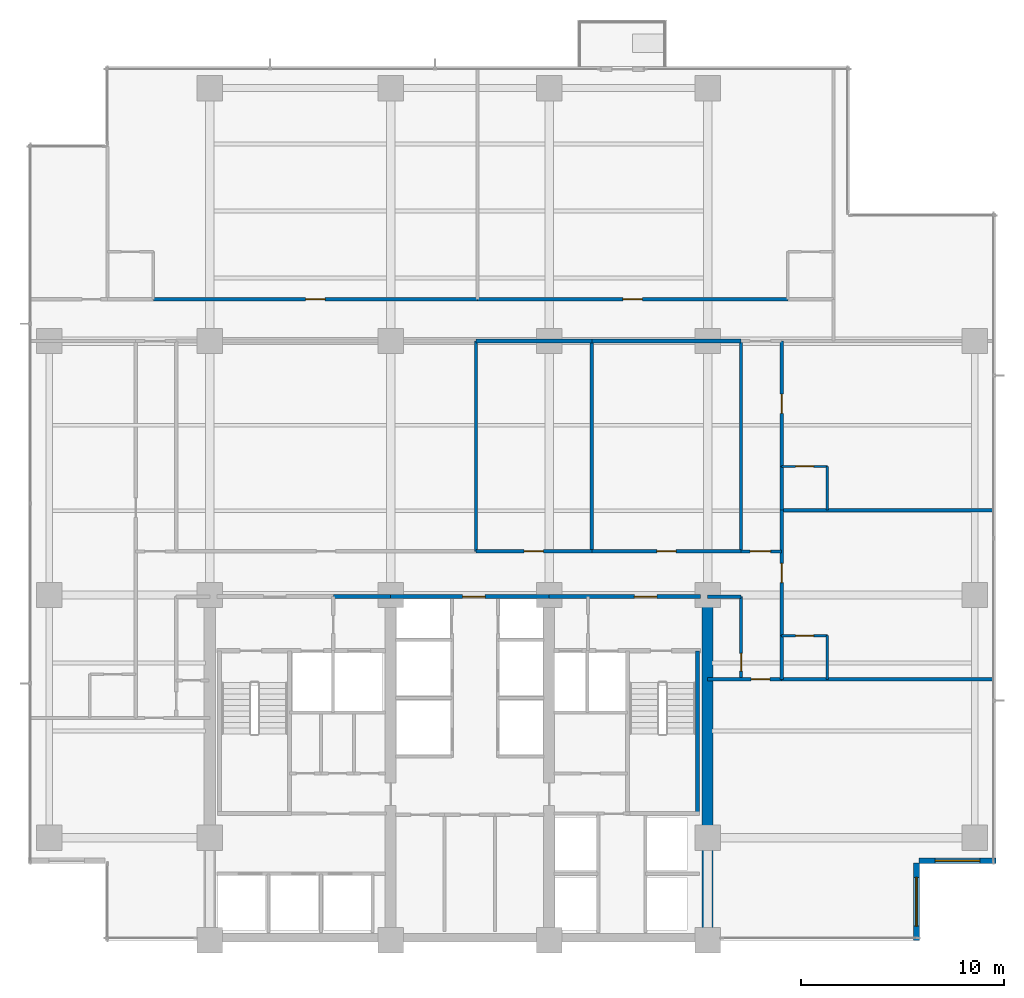
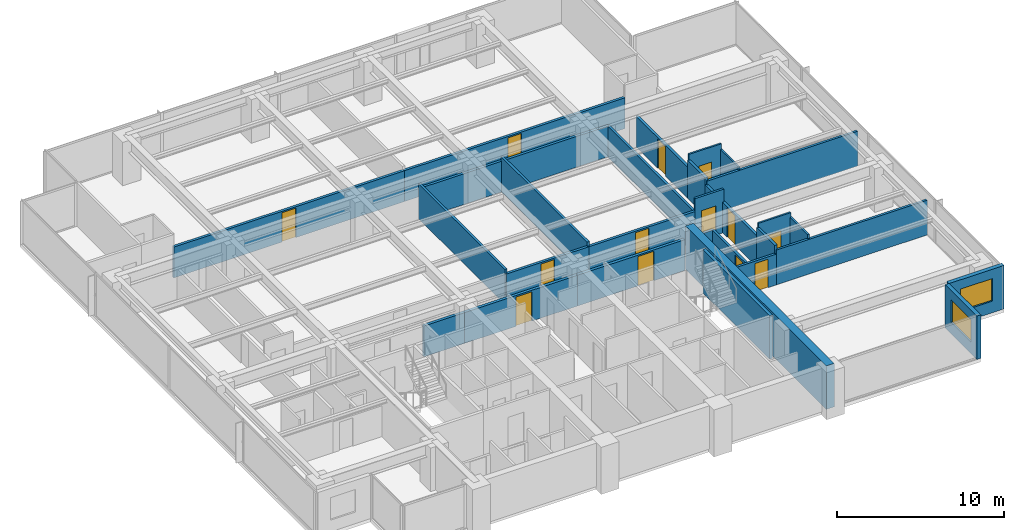
# One storey, part 10 of 16: 30 walls, 13 doors, 2 windows, 15 openings.
"""IFC4 building model written with IfcOpenShell, lengths in metres."""

from ifc_helpers import new_model, si_unit, direction, frame, frame_2d, origin, place, context, subcontext, project, spatial, rectangle, extrude, material, layer, layer_set, type_object, element, fill, save


model = new_model("IFC4")

# Units and contexts
model_context = context("Model", 3, precision=1e-05, world=origin(), true_north=direction((0.0, 1.0)))
body_context = subcontext(model_context, "Body", "Model", "MODEL_VIEW")
ifc_project = project(units=[si_unit("LENGTHUNIT", "METRE"), si_unit("AREAUNIT", "SQUARE_METRE"), si_unit("VOLUMEUNIT", "CUBIC_METRE"), si_unit("PLANEANGLEUNIT", "RADIAN"), si_unit("MASSUNIT", "GRAM", prefix="KILO")], contexts=[model_context])

# Site, building, storey
site_placement = place(None, origin())
site = spatial("IfcSite", under=ifc_project, at=site_placement, CompositionType="ELEMENT")
building_placement = place(site_placement, origin())
building = spatial("IfcBuilding", under=site, at=building_placement, Name="Qalmaran Belvedere Hotel", CompositionType="ELEMENT")
storey_placement = place(building_placement, frame((0.0, 0.0, 126.699951171875)))
storey = spatial("IfcBuildingStorey", under=building, at=storey_placement, Name="L32", CompositionType="ELEMENT", Elevation=126.699951171875)

# Wall
ifc_material_1 = material(Name="Concrete C60/75", Category="concrete")
ifc_layer_1 = layer(ifc_material_1, 0.550048828125, Name="Concrete C60/75")
ifc_layer_set_1 = layer_set([ifc_layer_1], Name="Concrete C60/75")
wall_type_1 = type_object("IfcWallType", Name="WL-CORE-550-C60", PredefinedType="SHEAR", material=ifc_layer_set_1)
wall_1_placement = place(storey_placement, frame((44.800048828125, 3.5, 0.0), z_axis=(0.0, 0.0, 1.0), x_axis=(0.0, 1.0, 0.0)))
element("IfcWall", 1, at=wall_1_placement, inside=storey, type_object=wall_type_1, Name="L32 East Core Shear Wall", PredefinedType="SHEAR", context=body_context, shape_type="SweptSolid", body=[
    extrude(rectangle(XDim=16.89990234375, YDim=0.550048828125, at=frame_2d((8.449951171875, 0.0))), origin(), (0.0, 0.0, 1.0), 3.179931640625),
])

# Wall, opening, window
ifc_material_2 = material(Name="Anodised Bronze Cladding")
ifc_layer_2 = layer(ifc_material_2, 0.280029296875, Name="Anodised Bronze Cladding")
ifc_layer_set_2 = layer_set([ifc_layer_2], Name="Anodised Bronze Cladding")
wall_type_2 = type_object("IfcWallType", Name="WL-EXT-BRNZ-280", PredefinedType="SOLIDWALL", material=ifc_layer_set_2)
wall_2_placement = place(storey_placement, frame((55.080078125, 3.5, 0.0), z_axis=(0.0, 0.0, 1.0), x_axis=(0.0, 1.0, 0.0)))
wall_2 = element("IfcWall", 2, at=wall_2_placement, inside=storey, type_object=wall_type_2, Name="L32 Corner Notch Wall 1", PredefinedType="SOLIDWALL", context=body_context, shape_type="SweptSolid", body=[
    extrude(rectangle(XDim=3.800048828125, YDim=0.280029296875, at=frame_2d((1.89990234375, 0.0))), origin(), (0.0, 0.0, 1.0), 3.179931640625),
])
opening_1_placement = place(wall_2_placement, frame((0.699951171875, 0.0, 0.85009765625)))
opening_1 = element("IfcOpeningElement", 3, at=opening_1_placement, cuts=wall_2, Name="Opening W-N24", PredefinedType="OPENING", context=body_context, shape_type="SweptSolid", body=[
    extrude(rectangle(XDim=2.39990234375, YDim=1.64990234375, at=frame_2d((1.199951171875, 0.824951171875))), frame((0.0, 0.14990234375, 0.0), z_axis=(0.0, -1.0, 0.0), x_axis=(1.0, 0.0, 0.0)), (0.0, 0.0, 1.0), 0.300048828125),
])
ifc_material_3 = material(Name="Solar-Control Double Glazing", Category="glass")
window_type_1 = type_object("IfcWindowType", Name="WN-NTC-2400X1650", PartitioningType="SINGLE_PANEL", PredefinedType="WINDOW", material=ifc_material_3)
window_1_placement = place(opening_1_placement, origin())
window_1 = element("IfcWindow", 4, at=window_1_placement, inside=storey, type_object=window_type_1, Name="L32 Corner Notch Window 1", OverallHeight=1.64990234375, OverallWidth=2.39990234375, PartitioningType="SINGLE_PANEL", PredefinedType="WINDOW", context=body_context, shape_type="SweptSolid", body=[
    extrude(rectangle(XDim=2.39990234375, YDim=1.64990234375, at=frame_2d((1.199951171875, 0.824951171875))), frame((0.0, 0.030029296875, 0.0), z_axis=(0.0, -1.0, 0.0), x_axis=(1.0, 0.0, 0.0)), (0.0, 0.0, 1.0), 0.06005859375),
])
fill(opening_1, window_1)

wall_3_placement = place(storey_placement, frame((55.199951171875, 7.419921875, 0.0), z_axis=(0.0, 0.0, 1.0), x_axis=(1.0, 0.0, 0.0)))
wall_3 = element("IfcWall", 5, at=wall_3_placement, inside=storey, type_object=wall_type_2, Name="L32 Corner Notch Wall 2", PredefinedType="SOLIDWALL", context=body_context, shape_type="SweptSolid", body=[
    extrude(rectangle(XDim=3.800048828125, YDim=0.280029296875, at=frame_2d((1.89990234375, 0.0))), origin(), (0.0, 0.0, 1.0), 3.179931640625),
])
opening_2_placement = place(wall_3_placement, frame((0.800048828125, 0.0, 0.85009765625)))
opening_2 = element("IfcOpeningElement", 6, at=opening_2_placement, cuts=wall_3, Name="Opening W-N22", PredefinedType="OPENING", context=body_context, shape_type="SweptSolid", body=[
    extrude(rectangle(XDim=2.199951171875, YDim=1.64990234375, at=frame_2d((1.10009765625, 0.824951171875))), frame((0.0, 0.14990234375, 0.0), z_axis=(0.0, -1.0, 0.0), x_axis=(1.0, 0.0, 0.0)), (0.0, 0.0, 1.0), 0.300048828125),
])
window_type_2 = type_object("IfcWindowType", Name="WN-NTC-2200X1650", PartitioningType="SINGLE_PANEL", PredefinedType="WINDOW", material=ifc_material_3)
window_2_placement = place(opening_2_placement, origin())
window_2 = element("IfcWindow", 7, at=window_2_placement, inside=storey, type_object=window_type_2, Name="L32 Corner Notch Window 2", OverallHeight=1.64990234375, OverallWidth=2.199951171875, PartitioningType="SINGLE_PANEL", PredefinedType="WINDOW", context=body_context, shape_type="SweptSolid", body=[
    extrude(rectangle(XDim=2.199951171875, YDim=1.64990234375, at=frame_2d((1.10009765625, 0.824951171875))), frame((0.0, 0.030029296875, 0.0), z_axis=(0.0, -1.0, 0.0), x_axis=(1.0, 0.0, 0.0)), (0.0, 0.0, 1.0), 0.06005859375),
])
fill(opening_2, window_2)

# Wall, opening, door
ifc_material_4 = material(Name="Moisture-Resistant Gypsum")
ifc_layer_3 = layer(ifc_material_4, 0.1201171875, Name="Moisture-Resistant Gypsum")
ifc_layer_set_3 = layer_set([ifc_layer_3], Name="Moisture-Resistant Gypsum")
wall_type_3 = type_object("IfcWallType", Name="WL-INT-120-BATH", PredefinedType="PARTITIONING", material=ifc_layer_set_3)
wall_4_placement = place(storey_placement, frame((48.449951171875, 18.5, 0.0), z_axis=(0.0, 0.0, 1.0), x_axis=(1.0, 0.0, 0.0)))
wall_4 = element("IfcWall", 8, at=wall_4_placement, inside=storey, type_object=wall_type_3, Name="L32 Partition WL-L32-EBN00", PredefinedType="PARTITIONING", context=body_context, shape_type="SweptSolid", body=[
    extrude(rectangle(XDim=2.25, YDim=0.1201171875, at=frame_2d((1.125, 0.0))), origin(), (0.0, 0.0, 1.0), 3.179931640625),
])
opening_3_placement = place(wall_4_placement, frame((1.56494140625, 0.0, 0.0), z_axis=(0.0, 0.0, 1.0), x_axis=(-1.0, 0.0, 0.0)))
opening_3 = element("IfcOpeningElement", 9, at=opening_3_placement, cuts=wall_4, Name="Opening D-BATH", PredefinedType="OPENING", context=body_context, shape_type="SweptSolid", body=[
    extrude(rectangle(XDim=0.8798828125, YDim=2.080078125, at=frame_2d((0.43994140625, 1.0400390625))), frame((0.0, 0.070068359375, 0.0), z_axis=(0.0, -1.0, 0.0), x_axis=(1.0, 0.0, 0.0)), (0.0, 0.0, 1.0), 0.14013671875),
])
ifc_material_5 = material(Name="Engineered Oak Veneer")
door_type_1 = type_object("IfcDoorType", Name="DR-INT-BATH-880X2080", OperationType="NOTDEFINED", PredefinedType="DOOR", material=ifc_material_5)
door_1_placement = place(opening_3_placement, origin())
door_1 = element("IfcDoor", 10, at=door_1_placement, inside=storey, type_object=door_type_1, Name="L32 E Ensuite Door 01", OperationType="SINGLE_SWING_RIGHT", OverallHeight=2.080078125, OverallWidth=0.8798828125, PredefinedType="DOOR", context=body_context, shape_type="SweptSolid", body=[
    extrude(rectangle(XDim=0.8798828125, YDim=2.080078125, at=frame_2d((0.43994140625, 1.0400390625))), frame((0.0, 0.02490234375, 0.0), z_axis=(0.0, -1.0, 0.0), x_axis=(1.0, 0.0, 0.0)), (0.0, 0.0, 1.0), 0.050048828125),
])
fill(opening_3, door_1)

# Wall
wall_5_placement = place(storey_placement, frame((50.699951171875, 16.35009765625, 0.0), z_axis=(0.0, 0.0, 1.0), x_axis=(0.0, 1.0, 0.0)))
element("IfcWall", 11, at=wall_5_placement, inside=storey, type_object=wall_type_3, Name="L32 Partition WL-L32-EBS00", PredefinedType="PARTITIONING", context=body_context, shape_type="SweptSolid", body=[
    extrude(rectangle(XDim=2.14990234375, YDim=0.1201171875, at=frame_2d((1.074951171875, 0.0))), origin(), (0.0, 0.0, 1.0), 2.862060546875),
])

# Wall, opening, door
wall_6_placement = place(storey_placement, frame((48.449951171875, 26.824951171875, 0.0), z_axis=(0.0, 0.0, 1.0), x_axis=(1.0, 0.0, 0.0)))
wall_6 = element("IfcWall", 12, at=wall_6_placement, inside=storey, type_object=wall_type_3, Name="L32 Partition WL-L32-EBN01", PredefinedType="PARTITIONING", context=body_context, shape_type="SweptSolid", body=[
    extrude(rectangle(XDim=2.25, YDim=0.1201171875, at=frame_2d((1.125, 0.0))), origin(), (0.0, 0.0, 1.0), 3.179931640625),
])
opening_4_placement = place(wall_6_placement, frame((1.56494140625, 0.0, 0.0), z_axis=(0.0, 0.0, 1.0), x_axis=(-1.0, 0.0, 0.0)))
opening_4 = element("IfcOpeningElement", 13, at=opening_4_placement, cuts=wall_6, Name="Opening D-BATH", PredefinedType="OPENING", context=body_context, shape_type="SweptSolid", body=[
    extrude(rectangle(XDim=0.8798828125, YDim=2.080078125, at=frame_2d((0.43994140625, 1.0400390625))), frame((0.0, 0.070068359375, 0.0), z_axis=(0.0, -1.0, 0.0), x_axis=(1.0, 0.0, 0.0)), (0.0, 0.0, 1.0), 0.14013671875),
])
door_2_placement = place(opening_4_placement, origin())
door_2 = element("IfcDoor", 14, at=door_2_placement, inside=storey, type_object=door_type_1, Name="L32 E Ensuite Door 02", OperationType="SINGLE_SWING_RIGHT", OverallHeight=2.080078125, OverallWidth=0.8798828125, PredefinedType="DOOR", context=body_context, shape_type="SweptSolid", body=[
    extrude(rectangle(XDim=0.8798828125, YDim=2.080078125, at=frame_2d((0.43994140625, 1.0400390625))), frame((0.0, 0.02490234375, 0.0), z_axis=(0.0, -1.0, 0.0), x_axis=(1.0, 0.0, 0.0)), (0.0, 0.0, 1.0), 0.050048828125),
])
fill(opening_4, door_2)

# Wall
wall_7_placement = place(storey_placement, frame((50.699951171875, 24.675048828125, 0.0), z_axis=(0.0, 0.0, 1.0), x_axis=(0.0, 1.0, 0.0)))
element("IfcWall", 15, at=wall_7_placement, inside=storey, type_object=wall_type_3, Name="L32 Partition WL-L32-EBS01", PredefinedType="PARTITIONING", context=body_context, shape_type="SweptSolid", body=[
    extrude(rectangle(XDim=2.14990234375, YDim=0.1201171875, at=frame_2d((1.074951171875, 0.0))), origin(), (0.0, 0.0, 1.0), 2.758056640625),
])

# Wall, opening, door
ifc_material_6 = material(Name="Gypsum Stud Partition")
ifc_layer_4 = layer(ifc_material_6, 0.14990234375, Name="Gypsum Stud Partition")
ifc_layer_set_4 = layer_set([ifc_layer_4], Name="Gypsum Stud Partition")
wall_type_4 = type_object("IfcWallType", Name="WL-INT-150-EI60", PredefinedType="PARTITIONING", material=ifc_layer_set_4)
wall_8_placement = place(storey_placement, frame((46.449951171875, 22.64990234375, 0.0), z_axis=(0.0, 0.0, 1.0), x_axis=(1.0, 0.0, 0.0)))
wall_8 = element("IfcWall", 16, at=wall_8_placement, inside=storey, type_object=wall_type_4, Name="L32 Partition WL-L32-XCE1", PredefinedType="PARTITIONING", context=body_context, shape_type="SweptSolid", body=[
    extrude(rectangle(XDim=2.0, YDim=0.14990234375, at=frame_2d((1.0, 0.0))), origin(), (0.0, 0.0, 1.0), 3.179931640625),
])
opening_5_placement = place(wall_8_placement, frame((0.449951171875, 0.0, 0.0)))
opening_5 = element("IfcOpeningElement", 17, at=opening_5_placement, cuts=wall_8, Name="Opening FD90B", PredefinedType="OPENING", context=body_context, shape_type="SweptSolid", body=[
    extrude(rectangle(XDim=1.0, YDim=2.14990234375, at=frame_2d((0.5, 1.074951171875))), frame((0.0, 0.0849609375, 0.0), z_axis=(0.0, -1.0, 0.0), x_axis=(1.0, 0.0, 0.0)), (0.0, 0.0, 1.0), 0.169921875),
])
ifc_material_7 = material(Name="Steel S355JR", Category="steel")
door_type_2 = type_object("IfcDoorType", Name="DR-FD90B-1000X2150", OperationType="NOTDEFINED", PredefinedType="DOOR", material=ifc_material_7)
door_3_placement = place(opening_5_placement, origin())
door_3 = element("IfcDoor", 18, at=door_3_placement, inside=storey, type_object=door_type_2, Name="L32 East Corridor Smoke Door S", OperationType="SINGLE_SWING_LEFT", OverallHeight=2.14990234375, OverallWidth=1.0, PredefinedType="DOOR", context=body_context, shape_type="SweptSolid", body=[
    extrude(rectangle(XDim=1.0, YDim=2.14990234375, at=frame_2d((0.5, 1.074951171875))), frame((0.0, 0.02490234375, 0.0), z_axis=(0.0, -1.0, 0.0), x_axis=(1.0, 0.0, 0.0)), (0.0, 0.0, 1.0), 0.050048828125),
])
fill(opening_5, door_3)

ifc_layer_5 = layer(ifc_material_6, 0.159912109375, Name="Gypsum Stud Partition")
ifc_layer_set_5 = layer_set([ifc_layer_5], Name="Gypsum Stud Partition")
wall_type_5 = type_object("IfcWallType", Name="WL-INT-160-EI60", PredefinedType="PARTITIONING", material=ifc_layer_set_5)
wall_9_placement = place(storey_placement, frame((44.800048828125, 16.35009765625, 0.0), z_axis=(0.0, 0.0, 1.0), x_axis=(1.0, 0.0, 0.0)))
wall_9 = element("IfcWall", 19, at=wall_9_placement, inside=storey, type_object=wall_type_5, Name="L32 Partition WL-L32-SERL", PredefinedType="PARTITIONING", context=body_context, shape_type="SweptSolid", body=[
    extrude(rectangle(XDim=3.64990234375, YDim=0.159912109375, at=frame_2d((1.824951171875, 0.0))), origin(), (0.0, 0.0, 1.0), 2.2529296875),
])
opening_6_placement = place(wall_9_placement, frame((3.06982421875, 0.0, 0.0), z_axis=(0.0, 0.0, 1.0), x_axis=(-1.0, 0.0, 0.0)))
opening_6 = element("IfcOpeningElement", 20, at=opening_6_placement, cuts=wall_9, Name="Opening FD60S1", PredefinedType="OPENING", context=body_context, shape_type="SweptSolid", body=[
    extrude(rectangle(XDim=0.919921875, YDim=2.080078125, at=frame_2d((0.4599609375, 1.0400390625))), frame((0.0, 0.08984375, 0.0), z_axis=(0.0, -1.0, 0.0), x_axis=(1.0, 0.0, 0.0)), (0.0, 0.0, 1.0), 0.179931640625),
])
door_type_3 = type_object("IfcDoorType", Name="DR-FD60S-920X2080", OperationType="NOTDEFINED", PredefinedType="DOOR", material=ifc_material_5)
door_4_placement = place(opening_6_placement, origin())
door_4 = element("IfcDoor", 21, at=door_4_placement, inside=storey, type_object=door_type_3, Name="L32 SE Lounge Door", OperationType="SINGLE_SWING_RIGHT", OverallHeight=2.080078125, OverallWidth=0.919921875, PredefinedType="DOOR", context=body_context, shape_type="SweptSolid", body=[
    extrude(rectangle(XDim=0.919921875, YDim=2.080078125, at=frame_2d((0.4599609375, 1.0400390625))), frame((0.0, 0.02490234375, 0.0), z_axis=(0.0, -1.0, 0.0), x_axis=(1.0, 0.0, 0.0)), (0.0, 0.0, 1.0), 0.050048828125),
])
fill(opening_6, door_4)

wall_10_placement = place(storey_placement, frame((46.449951171875, 16.35009765625, 0.0), z_axis=(0.0, 0.0, 1.0), x_axis=(0.0, 1.0, 0.0)))
wall_10 = element("IfcWall", 22, at=wall_10_placement, inside=storey, type_object=wall_type_5, Name="L32 Partition WL-L32-ECL", PredefinedType="PARTITIONING", context=body_context, shape_type="SweptSolid", body=[
    extrude(rectangle(XDim=4.06982421875, YDim=0.159912109375, at=frame_2d((2.034912109375, 0.0))), origin(), (0.0, 0.0, 1.0), 2.2529296875),
])
opening_7_placement = place(wall_10_placement, frame((0.39990234375, 0.0, 0.0)))
opening_7 = element("IfcOpeningElement", 23, at=opening_7_placement, cuts=wall_10, Name="Opening FD60B", PredefinedType="OPENING", context=body_context, shape_type="SweptSolid", body=[
    extrude(rectangle(XDim=0.8798828125, YDim=2.080078125, at=frame_2d((0.43994140625, 1.0400390625))), frame((0.0, 0.08984375, 0.0), z_axis=(0.0, -1.0, 0.0), x_axis=(1.0, 0.0, 0.0)), (0.0, 0.0, 1.0), 0.179931640625),
])
door_type_4 = type_object("IfcDoorType", Name="DR-FD60B-880X2080", OperationType="NOTDEFINED", PredefinedType="DOOR", material=ifc_material_7)
door_5_placement = place(opening_7_placement, origin())
door_5 = element("IfcDoor", 24, at=door_5_placement, inside=storey, type_object=door_type_4, Name="L32 East Closet Door", OperationType="SINGLE_SWING_RIGHT", OverallHeight=2.080078125, OverallWidth=0.8798828125, PredefinedType="DOOR", context=body_context, shape_type="SweptSolid", body=[
    extrude(rectangle(XDim=0.8798828125, YDim=2.080078125, at=frame_2d((0.43994140625, 1.0400390625))), frame((0.0, 0.02490234375, 0.0), z_axis=(0.0, -1.0, 0.0), x_axis=(1.0, 0.0, 0.0)), (0.0, 0.0, 1.0), 0.050048828125),
])
fill(opening_7, door_5)

# Walls
wall_11_placement = place(storey_placement, frame((44.800048828125, 20.419921875, 0.0), z_axis=(0.0, 0.0, 1.0), x_axis=(1.0, 0.0, 0.0)))
element("IfcWall", 25, at=wall_11_placement, inside=storey, type_object=wall_type_5, Name="L32 Partition WL-L32-ECLN", PredefinedType="PARTITIONING", context=body_context, shape_type="SweptSolid", body=[
    extrude(rectangle(XDim=1.64990234375, YDim=0.159912109375, at=frame_2d((0.824951171875, 0.0))), origin(), (0.0, 0.0, 1.0), 2.2529296875),
])
for number, where, z_axis, x_axis, name in (
    (26, (33.39990234375, 22.64990234375, 0.0), (0.0, 0.0, 1.0), (0.0, 1.0, 0.0), "L32 Partition WL-L32-MIDVR1"),
    (27, (39.10009765625, 22.64990234375, 0.0), (0.0, 0.0, 1.0), (0.0, 1.0, 0.0), "L32 Partition WL-L32-MIDVR2"),
):
    element("IfcWall", number, at=place(storey_placement, frame(where, z_axis=z_axis, x_axis=x_axis)), inside=storey, type_object=wall_type_5, Name=name, PredefinedType="PARTITIONING", context=body_context, shape_type="SweptSolid", body=[
        extrude(rectangle(XDim=10.35009765625, YDim=0.159912109375, at=frame_2d((5.175048828125, 0.0))), origin(), (0.0, 0.0, 1.0), 2.553955078125),
    ])
wall_12_placement = place(storey_placement, frame((46.449951171875, 22.64990234375, 0.0), z_axis=(0.0, 0.0, 1.0), x_axis=(0.0, 1.0, 0.0)))
element("IfcWall", 28, at=wall_12_placement, inside=storey, type_object=wall_type_5, Name="L32 Partition WL-L32-MIDVR3", PredefinedType="PARTITIONING", context=body_context, shape_type="SweptSolid", body=[
    extrude(rectangle(XDim=10.35009765625, YDim=0.159912109375, at=frame_2d((5.175048828125, 0.0))), origin(), (0.0, 0.0, 1.0), 2.2529296875),
])
for number, where, z_axis, x_axis, name in (
    (29, (48.449951171875, 16.35009765625, 0.0), (0.0, 0.0, 1.0), (1.0, 0.0, 0.0), "L32 Partition WL-L32-EBOT"),
    (30, (48.449951171875, 24.675048828125, 0.0), (0.0, 0.0, 1.0), (1.0, 0.0, 0.0), "L32 Partition WL-L32-EU00"),
):
    element("IfcWall", number, at=place(storey_placement, frame(where, z_axis=z_axis, x_axis=x_axis)), inside=storey, type_object=wall_type_5, Name=name, PredefinedType="PARTITIONING", context=body_context, shape_type="SweptSolid", body=[
        extrude(rectangle(XDim=10.429931640625, YDim=0.159912109375, at=frame_2d((5.21484375, 0.0))), origin(), (0.0, 0.0, 1.0), 2.54296875),
    ])

# Wall, opening, door
ifc_layer_6 = layer(ifc_material_6, 0.179931640625, Name="Gypsum Stud Partition")
ifc_layer_set_6 = layer_set([ifc_layer_6], Name="Gypsum Stud Partition")
wall_type_6 = type_object("IfcWallType", Name="WL-INT-180-EI60", PredefinedType="PARTITIONING", material=ifc_layer_set_6)
wall_13_placement = place(storey_placement, frame((33.39990234375, 22.64990234375, 0.0), z_axis=(0.0, 0.0, 1.0), x_axis=(1.0, 0.0, 0.0)))
wall_13 = element("IfcWall", 31, at=wall_13_placement, inside=storey, type_object=wall_type_6, Name="L32 Partition WL-L32-MIDD2", PredefinedType="PARTITIONING", context=body_context, shape_type="SweptSolid", body=[
    extrude(rectangle(XDim=5.7001953125, YDim=0.179931640625, at=frame_2d((2.85009765625, 0.0))), origin(), (0.0, 0.0, 1.0), 2.2529296875),
])
opening_8_placement = place(wall_13_placement, frame((2.375, 0.0, 0.0)))
opening_8 = element("IfcOpeningElement", 32, at=opening_8_placement, cuts=wall_13, Name="Opening FD60", PredefinedType="OPENING", context=body_context, shape_type="SweptSolid", body=[
    extrude(rectangle(XDim=0.949951171875, YDim=2.14990234375, at=frame_2d((0.47509765625, 1.074951171875))), frame((0.0, 0.10009765625, 0.0), z_axis=(0.0, -1.0, 0.0), x_axis=(1.0, 0.0, 0.0)), (0.0, 0.0, 1.0), 0.199951171875),
])
door_type_5 = type_object("IfcDoorType", Name="DR-FD60-950X2150", OperationType="NOTDEFINED", PredefinedType="DOOR", material=ifc_material_5)
door_6_placement = place(opening_8_placement, origin())
door_6 = element("IfcDoor", 33, at=door_6_placement, inside=storey, type_object=door_type_5, Name="L32 Luggage Store Door", OperationType="SINGLE_SWING_RIGHT", OverallHeight=2.14990234375, OverallWidth=0.949951171875, PredefinedType="DOOR", context=body_context, shape_type="SweptSolid", body=[
    extrude(rectangle(XDim=0.949951171875, YDim=2.14990234375, at=frame_2d((0.47509765625, 1.074951171875))), frame((0.0, 0.02490234375, 0.0), z_axis=(0.0, -1.0, 0.0), x_axis=(1.0, 0.0, 0.0)), (0.0, 0.0, 1.0), 0.050048828125),
])
fill(opening_8, door_6)

# Wall
wall_14_placement = place(storey_placement, frame((33.39990234375, 33.0, 0.0), z_axis=(0.0, 0.0, 1.0), x_axis=(1.0, 0.0, 0.0)))
element("IfcWall", 34, at=wall_14_placement, inside=storey, type_object=wall_type_6, Name="L32 Partition WL-L32-MIDO2", PredefinedType="PARTITIONING", context=body_context, shape_type="SweptSolid", body=[
    extrude(rectangle(XDim=5.7001953125, YDim=0.179931640625, at=frame_2d((2.85009765625, 0.0))), origin(), (0.0, 0.0, 1.0), 2.2529296875),
])

# Wall, opening, door
wall_15_placement = place(storey_placement, frame((39.10009765625, 22.64990234375, 0.0), z_axis=(0.0, 0.0, 1.0), x_axis=(1.0, 0.0, 0.0)))
wall_15 = element("IfcWall", 35, at=wall_15_placement, inside=storey, type_object=wall_type_6, Name="L32 Partition WL-L32-MIDD3", PredefinedType="PARTITIONING", context=body_context, shape_type="SweptSolid", body=[
    extrude(rectangle(XDim=7.349853515625, YDim=0.179931640625, at=frame_2d((3.6748046875, 0.0))), origin(), (0.0, 0.0, 1.0), 2.2529296875),
])
opening_9_placement = place(wall_15_placement, frame((3.199951171875, 0.0, 0.0)))
opening_9 = element("IfcOpeningElement", 36, at=opening_9_placement, cuts=wall_15, Name="Opening FD60", PredefinedType="OPENING", context=body_context, shape_type="SweptSolid", body=[
    extrude(rectangle(XDim=0.949951171875, YDim=2.14990234375, at=frame_2d((0.47509765625, 1.074951171875))), frame((0.0, 0.10009765625, 0.0), z_axis=(0.0, -1.0, 0.0), x_axis=(1.0, 0.0, 0.0)), (0.0, 0.0, 1.0), 0.199951171875),
])
door_7_placement = place(opening_9_placement, origin())
door_7 = element("IfcDoor", 37, at=door_7_placement, inside=storey, type_object=door_type_5, Name="L32 Butler Pantry Door", OperationType="SINGLE_SWING_LEFT", OverallHeight=2.14990234375, OverallWidth=0.949951171875, PredefinedType="DOOR", context=body_context, shape_type="SweptSolid", body=[
    extrude(rectangle(XDim=0.949951171875, YDim=2.14990234375, at=frame_2d((0.47509765625, 1.074951171875))), frame((0.0, 0.02490234375, 0.0), z_axis=(0.0, -1.0, 0.0), x_axis=(1.0, 0.0, 0.0)), (0.0, 0.0, 1.0), 0.050048828125),
])
fill(opening_9, door_7)

# Wall
wall_16_placement = place(storey_placement, frame((39.10009765625, 33.0, 0.0), z_axis=(0.0, 0.0, 1.0), x_axis=(1.0, 0.0, 0.0)))
element("IfcWall", 38, at=wall_16_placement, inside=storey, type_object=wall_type_6, Name="L32 Partition WL-L32-MIDO3", PredefinedType="PARTITIONING", context=body_context, shape_type="SweptSolid", body=[
    extrude(rectangle(XDim=7.349853515625, YDim=0.179931640625, at=frame_2d((3.6748046875, 0.0))), origin(), (0.0, 0.0, 1.0), 2.2529296875),
])

# Wall, opening, door
wall_17_placement = place(storey_placement, frame((17.52001953125, 35.050048828125, 0.0), z_axis=(0.0, 0.0, 1.0), x_axis=(1.0, 0.0, 0.0)))
wall_17 = element("IfcWall", 39, at=wall_17_placement, inside=storey, type_object=wall_type_6, Name="L32 Partition WL-L32-NEC00", PredefinedType="PARTITIONING", context=body_context, shape_type="SweptSolid", body=[
    extrude(rectangle(XDim=15.955078125, YDim=0.179931640625, at=frame_2d((7.9775390625, 0.0))), origin(), (0.0, 0.0, 1.0), 2.2529296875),
])
opening_10_placement = place(wall_17_placement, frame((7.50244140625, 0.0, 0.0)))
opening_10 = element("IfcOpeningElement", 40, at=opening_10_placement, cuts=wall_17, Name="Opening FD60", PredefinedType="OPENING", context=body_context, shape_type="SweptSolid", body=[
    extrude(rectangle(XDim=0.949951171875, YDim=2.14990234375, at=frame_2d((0.47509765625, 1.074951171875))), frame((0.0, 0.10009765625, 0.0), z_axis=(0.0, -1.0, 0.0), x_axis=(1.0, 0.0, 0.0)), (0.0, 0.0, 1.0), 0.199951171875),
])
door_8_placement = place(opening_10_placement, origin())
door_8 = element("IfcDoor", 41, at=door_8_placement, inside=storey, type_object=door_type_5, Name="L32 Guest Entrance Door N01", OperationType="SINGLE_SWING_LEFT", OverallHeight=2.14990234375, OverallWidth=0.949951171875, PredefinedType="DOOR", context=body_context, shape_type="SweptSolid", body=[
    extrude(rectangle(XDim=0.949951171875, YDim=2.14990234375, at=frame_2d((0.47509765625, 1.074951171875))), frame((0.0, 0.02490234375, 0.0), z_axis=(0.0, -1.0, 0.0), x_axis=(1.0, 0.0, 0.0)), (0.0, 0.0, 1.0), 0.050048828125),
])
fill(opening_10, door_8)

wall_18_placement = place(storey_placement, frame((33.47509765625, 35.050048828125, 0.0), z_axis=(0.0, 0.0, 1.0), x_axis=(1.0, 0.0, 0.0)))
wall_18 = element("IfcWall", 42, at=wall_18_placement, inside=storey, type_object=wall_type_6, Name="L32 Partition WL-L32-NEC01", PredefinedType="PARTITIONING", context=body_context, shape_type="SweptSolid", body=[
    extrude(rectangle(XDim=15.27490234375, YDim=0.179931640625, at=frame_2d((7.637451171875, 0.0))), origin(), (0.0, 0.0, 1.0), 2.2529296875),
])
opening_11_placement = place(wall_18_placement, frame((7.16259765625, 0.0, 0.0)))
opening_11 = element("IfcOpeningElement", 43, at=opening_11_placement, cuts=wall_18, Name="Opening FD60", PredefinedType="OPENING", context=body_context, shape_type="SweptSolid", body=[
    extrude(rectangle(XDim=0.949951171875, YDim=2.14990234375, at=frame_2d((0.47509765625, 1.074951171875))), frame((0.0, 0.10009765625, 0.0), z_axis=(0.0, -1.0, 0.0), x_axis=(1.0, 0.0, 0.0)), (0.0, 0.0, 1.0), 0.199951171875),
])
door_9_placement = place(opening_11_placement, origin())
door_9 = element("IfcDoor", 44, at=door_9_placement, inside=storey, type_object=door_type_5, Name="L32 Guest Entrance Door N02", OperationType="SINGLE_SWING_LEFT", OverallHeight=2.14990234375, OverallWidth=0.949951171875, PredefinedType="DOOR", context=body_context, shape_type="SweptSolid", body=[
    extrude(rectangle(XDim=0.949951171875, YDim=2.14990234375, at=frame_2d((0.47509765625, 1.074951171875))), frame((0.0, 0.02490234375, 0.0), z_axis=(0.0, -1.0, 0.0), x_axis=(1.0, 0.0, 0.0)), (0.0, 0.0, 1.0), 0.050048828125),
])
fill(opening_11, door_9)

# Wall
wall_19_placement = place(storey_placement, frame((48.449951171875, 16.35009765625, 0.0), z_axis=(0.0, 0.0, 1.0), x_axis=(0.0, 1.0, 0.0)))
element("IfcWall", 45, at=wall_19_placement, inside=storey, type_object=wall_type_6, Name="L32 Partition WL-L32-EBC00", PredefinedType="PARTITIONING", context=body_context, shape_type="SweptSolid", body=[
    extrude(rectangle(XDim=2.14990234375, YDim=0.179931640625, at=frame_2d((1.074951171875, 0.0))), origin(), (0.0, 0.0, 1.0), 2.862060546875),
])

# Wall, opening, door
wall_20_placement = place(storey_placement, frame((48.449951171875, 18.5, 0.0), z_axis=(0.0, 0.0, 1.0), x_axis=(0.0, 1.0, 0.0)))
wall_20 = element("IfcWall", 46, at=wall_20_placement, inside=storey, type_object=wall_type_6, Name="L32 Partition WL-L32-EEC00", PredefinedType="PARTITIONING", context=body_context, shape_type="SweptSolid", body=[
    extrude(rectangle(XDim=6.175048828125, YDim=0.179931640625, at=frame_2d((3.08740234375, 0.0))), origin(), (0.0, 0.0, 1.0), 2.2529296875),
])
opening_12_placement = place(wall_20_placement, frame((3.5625, 0.0, 0.0), z_axis=(0.0, 0.0, 1.0), x_axis=(-1.0, 0.0, 0.0)))
opening_12 = element("IfcOpeningElement", 47, at=opening_12_placement, cuts=wall_20, Name="Opening FD60", PredefinedType="OPENING", context=body_context, shape_type="SweptSolid", body=[
    extrude(rectangle(XDim=0.949951171875, YDim=2.14990234375, at=frame_2d((0.47509765625, 1.074951171875))), frame((0.0, 0.10009765625, 0.0), z_axis=(0.0, -1.0, 0.0), x_axis=(1.0, 0.0, 0.0)), (0.0, 0.0, 1.0), 0.199951171875),
])
door_10_placement = place(opening_12_placement, origin())
door_10 = element("IfcDoor", 48, at=door_10_placement, inside=storey, type_object=door_type_5, Name="L32 E Wing Door 01", OperationType="SINGLE_SWING_LEFT", OverallHeight=2.14990234375, OverallWidth=0.949951171875, PredefinedType="DOOR", context=body_context, shape_type="SweptSolid", body=[
    extrude(rectangle(XDim=0.949951171875, YDim=2.14990234375, at=frame_2d((0.47509765625, 1.074951171875))), frame((0.0, 0.02490234375, 0.0), z_axis=(0.0, -1.0, 0.0), x_axis=(1.0, 0.0, 0.0)), (0.0, 0.0, 1.0), 0.050048828125),
])
fill(opening_12, door_10)

# Wall
wall_21_placement = place(storey_placement, frame((48.449951171875, 24.675048828125, 0.0), z_axis=(0.0, 0.0, 1.0), x_axis=(0.0, 1.0, 0.0)))
element("IfcWall", 49, at=wall_21_placement, inside=storey, type_object=wall_type_6, Name="L32 Partition WL-L32-EBC01", PredefinedType="PARTITIONING", context=body_context, shape_type="SweptSolid", body=[
    extrude(rectangle(XDim=2.14990234375, YDim=0.179931640625, at=frame_2d((1.074951171875, 0.0))), origin(), (0.0, 0.0, 1.0), 2.758056640625),
])

# Wall, opening, door
wall_22_placement = place(storey_placement, frame((48.449951171875, 26.824951171875, 0.0), z_axis=(0.0, 0.0, 1.0), x_axis=(0.0, 1.0, 0.0)))
wall_22 = element("IfcWall", 50, at=wall_22_placement, inside=storey, type_object=wall_type_6, Name="L32 Partition WL-L32-EEC01", PredefinedType="PARTITIONING", context=body_context, shape_type="SweptSolid", body=[
    extrude(rectangle(XDim=6.175048828125, YDim=0.179931640625, at=frame_2d((3.08740234375, 0.0))), origin(), (0.0, 0.0, 1.0), 2.2529296875),
])
opening_13_placement = place(wall_22_placement, frame((3.5625, 0.0, 0.0), z_axis=(0.0, 0.0, 1.0), x_axis=(-1.0, 0.0, 0.0)))
opening_13 = element("IfcOpeningElement", 51, at=opening_13_placement, cuts=wall_22, Name="Opening FD60", PredefinedType="OPENING", context=body_context, shape_type="SweptSolid", body=[
    extrude(rectangle(XDim=0.949951171875, YDim=2.14990234375, at=frame_2d((0.47509765625, 1.074951171875))), frame((0.0, 0.10009765625, 0.0), z_axis=(0.0, -1.0, 0.0), x_axis=(1.0, 0.0, 0.0)), (0.0, 0.0, 1.0), 0.199951171875),
])
door_11_placement = place(opening_13_placement, origin())
door_11 = element("IfcDoor", 52, at=door_11_placement, inside=storey, type_object=door_type_5, Name="L32 E Wing Door 02", OperationType="SINGLE_SWING_LEFT", OverallHeight=2.14990234375, OverallWidth=0.949951171875, PredefinedType="DOOR", context=body_context, shape_type="SweptSolid", body=[
    extrude(rectangle(XDim=0.949951171875, YDim=2.14990234375, at=frame_2d((0.47509765625, 1.074951171875))), frame((0.0, 0.02490234375, 0.0), z_axis=(0.0, -1.0, 0.0), x_axis=(1.0, 0.0, 0.0)), (0.0, 0.0, 1.0), 0.050048828125),
])
fill(opening_13, door_11)

# Wall
ifc_material_8 = material(Name="Concrete C30/37 Blockwork", Category="masonry")
ifc_layer_7 = layer(ifc_material_8, 0.199951171875, Name="Concrete C30/37 Blockwork")
ifc_layer_set_7 = layer_set([ifc_layer_7], Name="Concrete C30/37 Blockwork")
wall_type_7 = type_object("IfcWallType", Name="WL-INT-200-EI120", PredefinedType="PARTITIONING", material=ifc_layer_set_7)
wall_23_placement = place(storey_placement, frame((26.3798828125, 20.419921875, 0.0), z_axis=(0.0, 0.0, 1.0), x_axis=(1.0, 0.0, 0.0)))
element("IfcWall", 53, at=wall_23_placement, inside=storey, type_object=wall_type_7, Name="L32 Partition WL-CN1B-L32", PredefinedType="PARTITIONING", context=body_context, shape_type="SweptSolid", body=[
    extrude(rectangle(XDim=2.820068359375, YDim=0.199951171875, at=frame_2d((1.41015625, 0.0))), origin(), (0.0, 0.0, 1.0), 2.2529296875),
])

# Wall, opening, door
wall_24_placement = place(storey_placement, frame((29.199951171875, 20.419921875, 0.0), z_axis=(0.0, 0.0, 1.0), x_axis=(1.0, 0.0, 0.0)))
wall_24 = element("IfcWall", 54, at=wall_24_placement, inside=storey, type_object=wall_type_7, Name="L32 Partition WL-CN2-L32", PredefinedType="PARTITIONING", context=body_context, shape_type="SweptSolid", body=[
    extrude(rectangle(XDim=7.800048828125, YDim=0.199951171875, at=frame_2d((3.89990234375, 0.0))), origin(), (0.0, 0.0, 1.0), 2.2529296875),
])
opening_14_placement = place(wall_24_placement, frame((3.550048828125, 0.0, 0.0)))
opening_14 = element("IfcOpeningElement", 55, at=opening_14_placement, cuts=wall_24, Name="Opening FD90", PredefinedType="OPENING", context=body_context, shape_type="SweptSolid", body=[
    extrude(rectangle(XDim=1.10009765625, YDim=2.14990234375, at=frame_2d((0.550048828125, 1.074951171875))), frame((0.0, 0.10986328125, 0.0), z_axis=(0.0, -1.0, 0.0), x_axis=(1.0, 0.0, 0.0)), (0.0, 0.0, 1.0), 0.219970703125),
])
door_type_6 = type_object("IfcDoorType", Name="DR-FD90-1100X2150", OperationType="NOTDEFINED", PredefinedType="DOOR", material=ifc_material_7)
door_12_placement = place(opening_14_placement, origin())
door_12 = element("IfcDoor", 56, at=door_12_placement, inside=storey, type_object=door_type_6, Name="L32 Central Lift Lobby Door", OperationType="SINGLE_SWING_RIGHT", OverallHeight=2.14990234375, OverallWidth=1.10009765625, PredefinedType="DOOR", context=body_context, shape_type="SweptSolid", body=[
    extrude(rectangle(XDim=1.10009765625, YDim=2.14990234375, at=frame_2d((0.550048828125, 1.074951171875))), frame((0.0, 0.02490234375, 0.0), z_axis=(0.0, -1.0, 0.0), x_axis=(1.0, 0.0, 0.0)), (0.0, 0.0, 1.0), 0.050048828125),
])
fill(opening_14, door_12)

wall_25_placement = place(storey_placement, frame((37.0, 20.419921875, 0.0), z_axis=(0.0, 0.0, 1.0), x_axis=(1.0, 0.0, 0.0)))
wall_25 = element("IfcWall", 57, at=wall_25_placement, inside=storey, type_object=wall_type_7, Name="L32 Partition WL-CN3-L32", PredefinedType="PARTITIONING", context=body_context, shape_type="SweptSolid", body=[
    extrude(rectangle(XDim=7.449951171875, YDim=0.199951171875, at=frame_2d((3.72509765625, 0.0))), origin(), (0.0, 0.0, 1.0), 2.2529296875),
])
opening_15_placement = place(wall_25_placement, frame((4.199951171875, 0.0, 0.0)))
opening_15 = element("IfcOpeningElement", 58, at=opening_15_placement, cuts=wall_25, Name="Opening FD90", PredefinedType="OPENING", context=body_context, shape_type="SweptSolid", body=[
    extrude(rectangle(XDim=1.10009765625, YDim=2.14990234375, at=frame_2d((0.550048828125, 1.074951171875))), frame((0.0, 0.10986328125, 0.0), z_axis=(0.0, -1.0, 0.0), x_axis=(1.0, 0.0, 0.0)), (0.0, 0.0, 1.0), 0.219970703125),
])
door_13_placement = place(opening_15_placement, origin())
door_13 = element("IfcDoor", 59, at=door_13_placement, inside=storey, type_object=door_type_6, Name="L32 FF2 Lobby Corridor Door", OperationType="SINGLE_SWING_LEFT", OverallHeight=2.14990234375, OverallWidth=1.10009765625, PredefinedType="DOOR", context=body_context, shape_type="SweptSolid", body=[
    extrude(rectangle(XDim=1.10009765625, YDim=2.14990234375, at=frame_2d((0.550048828125, 1.074951171875))), frame((0.0, 0.02490234375, 0.0), z_axis=(0.0, -1.0, 0.0), x_axis=(1.0, 0.0, 0.0)), (0.0, 0.0, 1.0), 0.050048828125),
])
fill(opening_15, door_13)

# Wall
ifc_material_9 = material(Name="Concrete C50/60", Category="concrete")
ifc_layer_8 = layer(ifc_material_9, 0.2099609375, Name="Concrete C50/60")
ifc_layer_set_8 = layer_set([ifc_layer_8], Name="Concrete C50/60")
wall_type_8 = type_object("IfcWallType", Name="WL-STAIR-210-C50", PredefinedType="SHEAR", material=ifc_layer_set_8)
wall_26_placement = place(storey_placement, frame((44.304931640625, 9.7451171875, 0.0), z_axis=(0.0, 0.0, 1.0), x_axis=(0.0, 1.0, 0.0)))
element("IfcWall", 60, at=wall_26_placement, inside=storey, type_object=wall_type_8, Name="L32 Stair ST-2 East Bearing Wall", PredefinedType="SHEAR", context=body_context, shape_type="SweptSolid", body=[
    extrude(rectangle(XDim=8.009765625, YDim=0.2099609375, at=frame_2d((4.0048828125, 0.0))), origin(), (0.0, 0.0, 1.0), 3.179931640625),
])

save(model, "model.ifc")
